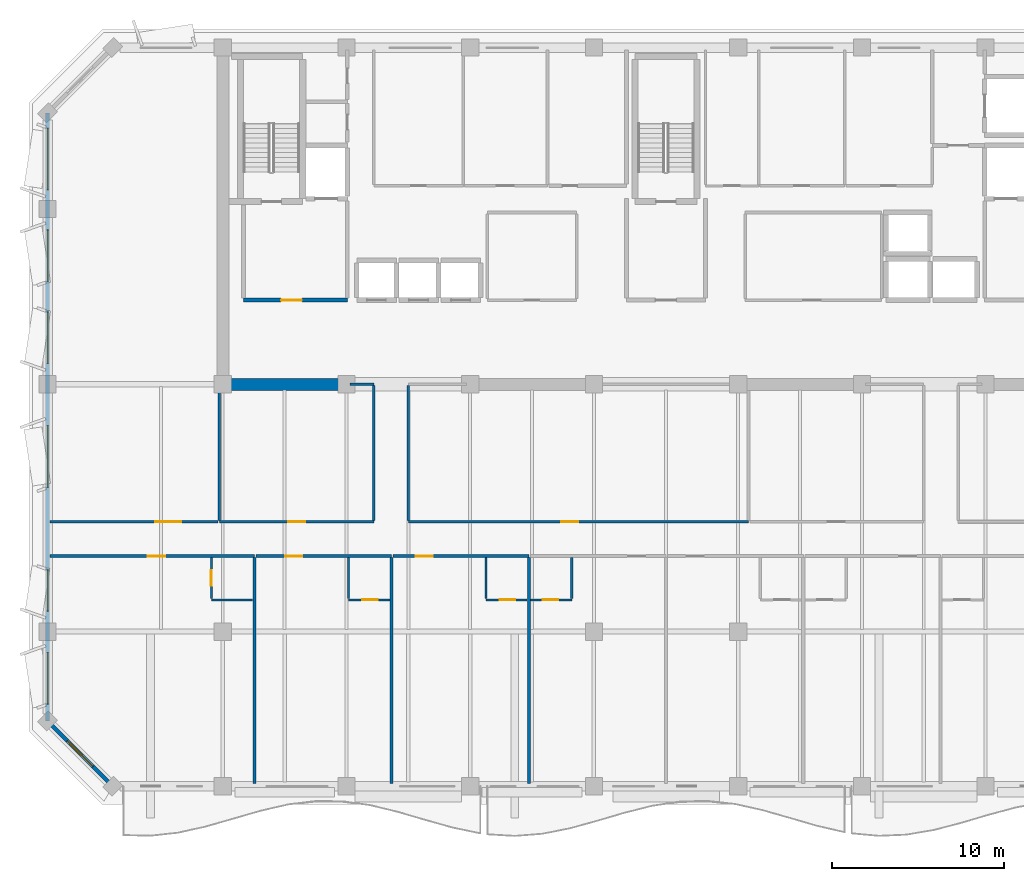
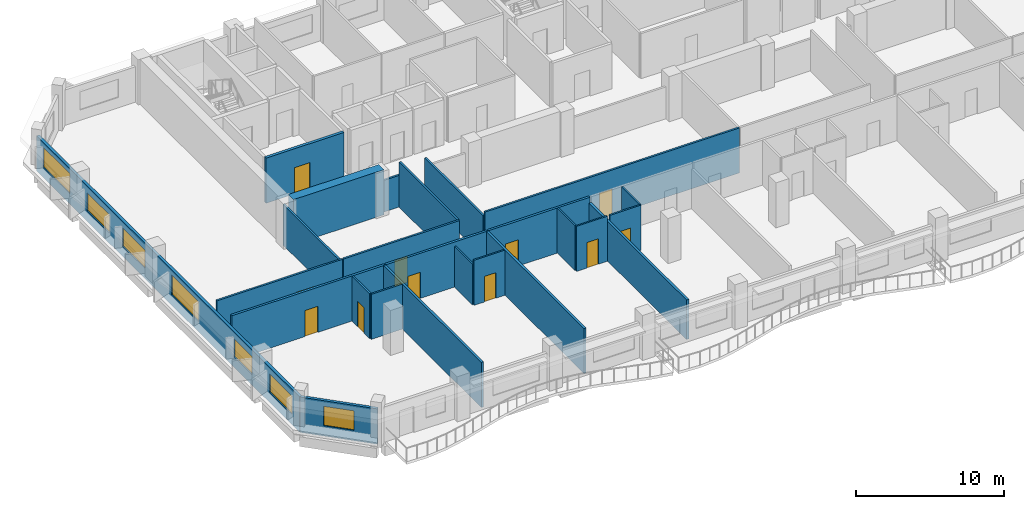
# One storey, part 3 of 11: 25 walls, 11 doors, 7 windows, 18 openings.
"""IFC4 building model written with IfcOpenShell, lengths in metres."""

from ifc_helpers import new_model, si_unit, direction, frame, frame_2d, origin, place, context, subcontext, project, spatial, rectangle, extrude, material, layer, layer_set, type_object, element, fill, save


model = new_model("IFC4")

# Units and contexts
model_context = context("Model", 3, precision=1e-05, world=origin(), true_north=direction((0.0, 1.0)))
body_context = subcontext(model_context, "Body", "Model", "MODEL_VIEW")
ifc_project = project(units=[si_unit("LENGTHUNIT", "METRE"), si_unit("AREAUNIT", "SQUARE_METRE"), si_unit("VOLUMEUNIT", "CUBIC_METRE"), si_unit("PLANEANGLEUNIT", "RADIAN"), si_unit("MASSUNIT", "GRAM", prefix="KILO")], contexts=[model_context])

# Site, building, storey
site_placement = place(None, origin())
site = spatial("IfcSite", under=ifc_project, at=site_placement, CompositionType="ELEMENT")
building_placement = place(site_placement, origin())
building = spatial("IfcBuilding", under=site, at=building_placement, Name="Kaelvorn Grand Hotel", CompositionType="ELEMENT")
storey_placement = place(building_placement, frame((0.0, 0.0, 252.85009765625)))
storey = spatial("IfcBuildingStorey", under=building, at=storey_placement, Name="L62", CompositionType="ELEMENT", Elevation=252.85009765625)

# Wall
ifc_material_1 = material(Name="Concrete C50/60", Category="concrete")
ifc_layer_1 = layer(ifc_material_1, 0.699951171875)
ifc_layer_set_1 = layer_set([ifc_layer_1], Name="Concrete C50/60")
wall_type_1 = type_object("IfcWallType", Name="WL-CORE-700-C50", PredefinedType="SHEAR", material=ifc_layer_set_1)
wall_1_placement = place(storey_placement, frame((16.554931640625, 29.39990234375, 0.0), z_axis=(0.0, 0.0, 1.0), x_axis=(1.0, 0.0, 0.0)))
element("IfcWall", 1, at=wall_1_placement, inside=storey, type_object=wall_type_1, Name="L62 Rear-Core Coupled Shear Pier S1", PredefinedType="SHEAR", context=body_context, shape_type="SweptSolid", body=[
    extrude(rectangle(XDim=7.045166015625, YDim=0.699951171875, at=frame_2d((3.5224609375, 0.0))), origin(), (0.0, 0.0, 1.0), 3.7099609375),
])

# Wall, openings, windows
ifc_material_2 = material(Name="Concrete C40/50", Category="concrete")
ifc_layer_2 = layer(ifc_material_2, 0.219970703125)
ifc_layer_set_2 = layer_set([ifc_layer_2], Name="Concrete C40/50")
wall_type_2 = type_object("IfcWallType", Name="WL-EXT-220-C40", PredefinedType="SOLIDWALL", material=ifc_layer_set_2)
wall_2_placement = place(storey_placement, frame((6.0, 45.199951171875, 0.0), z_axis=(0.0, 0.0, 1.0), x_axis=(0.0, -1.0, 0.0)))
wall_2 = element("IfcWall", 2, at=wall_2_placement, inside=storey, type_object=wall_type_2, Name="L62 Exterior Architectural Concrete Wall 07", PredefinedType="SOLIDWALL", context=body_context, shape_type="SweptSolid", body=[
    extrude(rectangle(XDim=35.39990234375, YDim=0.219970703125, at=frame_2d((17.699951171875, 0.0))), origin(), (0.0, 0.0, 1.0), 2.909912109375),
])
opening_1_placement = place(wall_2_placement, frame((31.4150390625, 0.0, 0.85009765625)))
opening_1 = element("IfcOpeningElement", 3, at=opening_1_placement, cuts=wall_2, Name="Opening W5", PredefinedType="OPENING", context=body_context, shape_type="SweptSolid", body=[
    extrude(rectangle(XDim=3.0, YDim=1.5, at=frame_2d((1.5, 0.75))), frame((0.0, 0.1201171875, 0.0), z_axis=(0.0, -1.0, 0.0), x_axis=(1.0, 0.0, 0.0)), (0.0, 0.0, 1.0), 0.239990234375),
])
opening_2_placement = place(wall_2_placement, frame((26.60009765625, 0.0, 0.85009765625)))
opening_2 = element("IfcOpeningElement", 4, at=opening_2_placement, cuts=wall_2, Name="Opening W6", PredefinedType="OPENING", context=body_context, shape_type="SweptSolid", body=[
    extrude(rectangle(XDim=2.39990234375, YDim=1.5, at=frame_2d((1.199951171875, 0.75))), frame((0.0, 0.1201171875, 0.0), z_axis=(0.0, -1.0, 0.0), x_axis=(1.0, 0.0, 0.0)), (0.0, 0.0, 1.0), 0.239990234375),
])
opening_3_placement = place(wall_2_placement, frame((18.199951171875, 0.0, 0.85009765625)))
opening_3 = element("IfcOpeningElement", 5, at=opening_3_placement, cuts=wall_2, Name="Opening W3", PredefinedType="OPENING", context=body_context, shape_type="SweptSolid", body=[
    extrude(rectangle(XDim=3.60009765625, YDim=1.64990234375, at=frame_2d((1.800048828125, 0.824951171875))), frame((0.0, 0.1201171875, 0.0), z_axis=(0.0, -1.0, 0.0), x_axis=(1.0, 0.0, 0.0)), (0.0, 0.0, 1.0), 0.239990234375),
])
opening_4_placement = place(wall_2_placement, frame((11.5849609375, 0.0, 0.85009765625)))
opening_4 = element("IfcOpeningElement", 6, at=opening_4_placement, cuts=wall_2, Name="Opening W5", PredefinedType="OPENING", context=body_context, shape_type="SweptSolid", body=[
    extrude(rectangle(XDim=3.0, YDim=1.5, at=frame_2d((1.5, 0.75))), frame((0.0, 0.1201171875, 0.0), z_axis=(0.0, -1.0, 0.0), x_axis=(1.0, 0.0, 0.0)), (0.0, 0.0, 1.0), 0.239990234375),
])
opening_5_placement = place(wall_2_placement, frame((6.81494140625, 0.0, 0.85009765625)))
opening_5 = element("IfcOpeningElement", 7, at=opening_5_placement, cuts=wall_2, Name="Opening W5", PredefinedType="OPENING", context=body_context, shape_type="SweptSolid", body=[
    extrude(rectangle(XDim=3.0, YDim=1.5, at=frame_2d((1.5, 0.75))), frame((0.0, 0.1201171875, 0.0), z_axis=(0.0, -1.0, 0.0), x_axis=(1.0, 0.0, 0.0)), (0.0, 0.0, 1.0), 0.239990234375),
])
opening_6_placement = place(wall_2_placement, frame((0.885009765625, 0.0, 0.85009765625)))
opening_6 = element("IfcOpeningElement", 8, at=opening_6_placement, cuts=wall_2, Name="Opening W3", PredefinedType="OPENING", context=body_context, shape_type="SweptSolid", body=[
    extrude(rectangle(XDim=3.60009765625, YDim=1.64990234375, at=frame_2d((1.800048828125, 0.824951171875))), frame((0.0, 0.1201171875, 0.0), z_axis=(0.0, -1.0, 0.0), x_axis=(1.0, 0.0, 0.0)), (0.0, 0.0, 1.0), 0.239990234375),
])
ifc_material_3 = material(Name="Laminated Low-E Glass", Category="glass")
window_type_1 = type_object("IfcWindowType", Name="WIN-NTH-2400x1500", PartitioningType="SINGLE_PANEL", PredefinedType="WINDOW", material=ifc_material_3)
window_1_placement = place(opening_2_placement, origin())
window_1 = element("IfcWindow", 9, at=window_1_placement, inside=storey, type_object=window_type_1, Name="L62 W Wing Tilted-Frame Ribbon Window W02", OverallHeight=1.5, OverallWidth=2.39990234375, PartitioningType="SINGLE_PANEL", PredefinedType="WINDOW", context=body_context, shape_type="SweptSolid", body=[
    extrude(rectangle(XDim=2.39990234375, YDim=1.5, at=frame_2d((1.199951171875, 0.75))), frame((0.0, 0.030029296875, 0.0), z_axis=(0.0, -1.0, 0.0), x_axis=(1.0, 0.0, 0.0)), (0.0, 0.0, 1.0), 0.06005859375),
])
fill(opening_2, window_1)
window_type_2 = type_object("IfcWindowType", Name="WIN-NTH-3000x1500", PartitioningType="SINGLE_PANEL", PredefinedType="WINDOW", material=ifc_material_3)
window_2_placement = place(opening_1_placement, origin())
window_2 = element("IfcWindow", 10, at=window_2_placement, inside=storey, type_object=window_type_2, Name="L62 W Wing Tilted-Frame Ribbon Window W01", OverallHeight=1.5, OverallWidth=3.0, PartitioningType="SINGLE_PANEL", PredefinedType="WINDOW", context=body_context, shape_type="SweptSolid", body=[
    extrude(rectangle(XDim=3.0, YDim=1.5, at=frame_2d((1.5, 0.75))), frame((0.0, 0.030029296875, 0.0), z_axis=(0.0, -1.0, 0.0), x_axis=(1.0, 0.0, 0.0)), (0.0, 0.0, 1.0), 0.06005859375),
])
fill(opening_1, window_2)
window_3_placement = place(opening_4_placement, origin())
window_3 = element("IfcWindow", 11, at=window_3_placement, inside=storey, type_object=window_type_2, Name="L62 W Wing Tilted-Frame Ribbon Window W04", OverallHeight=1.5, OverallWidth=3.0, PartitioningType="SINGLE_PANEL", PredefinedType="WINDOW", context=body_context, shape_type="SweptSolid", body=[
    extrude(rectangle(XDim=3.0, YDim=1.5, at=frame_2d((1.5, 0.75))), frame((0.0, 0.030029296875, 0.0), z_axis=(0.0, -1.0, 0.0), x_axis=(1.0, 0.0, 0.0)), (0.0, 0.0, 1.0), 0.06005859375),
])
fill(opening_4, window_3)
window_4_placement = place(opening_5_placement, origin())
window_4 = element("IfcWindow", 12, at=window_4_placement, inside=storey, type_object=window_type_2, Name="L62 W Wing Tilted-Frame Ribbon Window W05", OverallHeight=1.5, OverallWidth=3.0, PartitioningType="SINGLE_PANEL", PredefinedType="WINDOW", context=body_context, shape_type="SweptSolid", body=[
    extrude(rectangle(XDim=3.0, YDim=1.5, at=frame_2d((1.5, 0.75))), frame((0.0, 0.030029296875, 0.0), z_axis=(0.0, -1.0, 0.0), x_axis=(1.0, 0.0, 0.0)), (0.0, 0.0, 1.0), 0.06005859375),
])
fill(opening_5, window_4)
window_type_3 = type_object("IfcWindowType", Name="WIN-RIB-3600x1750", PartitioningType="SINGLE_PANEL", PredefinedType="WINDOW", material=ifc_material_3)
window_5_placement = place(opening_3_placement, origin())
window_5 = element("IfcWindow", 13, at=window_5_placement, inside=storey, type_object=window_type_3, Name="L62 W Wing Tilted-Frame Ribbon Window W03", OverallHeight=1.64990234375, OverallWidth=3.60009765625, PartitioningType="SINGLE_PANEL", PredefinedType="WINDOW", context=body_context, shape_type="SweptSolid", body=[
    extrude(rectangle(XDim=3.60009765625, YDim=1.64990234375, at=frame_2d((1.800048828125, 0.824951171875))), frame((0.0, 0.030029296875, 0.0), z_axis=(0.0, -1.0, 0.0), x_axis=(1.0, 0.0, 0.0)), (0.0, 0.0, 1.0), 0.06005859375),
])
fill(opening_3, window_5)
window_6_placement = place(opening_6_placement, origin())
window_6 = element("IfcWindow", 14, at=window_6_placement, inside=storey, type_object=window_type_3, Name="L62 W Wing Tilted-Frame Ribbon Window W06", OverallHeight=1.64990234375, OverallWidth=3.60009765625, PartitioningType="SINGLE_PANEL", PredefinedType="WINDOW", context=body_context, shape_type="SweptSolid", body=[
    extrude(rectangle(XDim=3.60009765625, YDim=1.64990234375, at=frame_2d((1.800048828125, 0.824951171875))), frame((0.0, 0.030029296875, 0.0), z_axis=(0.0, -1.0, 0.0), x_axis=(1.0, 0.0, 0.0)), (0.0, 0.0, 1.0), 0.06005859375),
])
fill(opening_6, window_6)

# Wall, opening, window
wall_3_placement = place(storey_placement, frame((6.0, 9.800048828125, 0.0), z_axis=(0.0, 0.0, 1.0), x_axis=(0.707106781187, -0.707106781187, 0.0)))
wall_3 = element("IfcWall", 15, at=wall_3_placement, inside=storey, type_object=wall_type_2, Name="L62 Exterior Architectural Concrete Wall 08", PredefinedType="SOLIDWALL", context=body_context, shape_type="SweptSolid", body=[
    extrude(rectangle(XDim=5.3740234375, YDim=0.219970703125, at=frame_2d((2.68701171875, 0.0))), origin(), (0.0, 0.0, 1.0), 2.909912109375),
])
opening_7_placement = place(wall_3_placement, frame((1.636962890625, 0.0, 0.85009765625)))
opening_7 = element("IfcOpeningElement", 16, at=opening_7_placement, cuts=wall_3, Name="Opening W7", PredefinedType="OPENING", context=body_context, shape_type="SweptSolid", body=[
    extrude(rectangle(XDim=2.10009765625, YDim=1.60009765625, at=frame_2d((1.050048828125, 0.800048828125))), frame((0.0, 0.1201171875, 0.0), z_axis=(0.0, -1.0, 0.0), x_axis=(1.0, 0.0, 0.0)), (0.0, 0.0, 1.0), 0.239990234375),
])
window_type_4 = type_object("IfcWindowType", Name="WIN-CHM-2100x1600", PartitioningType="SINGLE_PANEL", PredefinedType="WINDOW", material=ifc_material_3)
window_7_placement = place(opening_7_placement, origin())
window_7 = element("IfcWindow", 17, at=window_7_placement, inside=storey, type_object=window_type_4, Name="L62 Chamfered 45-Degree Corner Window SW", OverallHeight=1.60009765625, OverallWidth=2.10009765625, PartitioningType="SINGLE_PANEL", PredefinedType="WINDOW", context=body_context, shape_type="SweptSolid", body=[
    extrude(rectangle(XDim=2.10009765625, YDim=1.60009765625, at=frame_2d((1.050048828125, 0.800048828125))), frame((0.0, 0.030029296875, 0.0), z_axis=(0.0, -1.0, 0.0), x_axis=(1.0, 0.0, 0.0)), (0.0, 0.0, 1.0), 0.06005859375),
])
fill(opening_7, window_7)

# Wall
ifc_material_4 = material(Name="Moisture-Resistant Tile & Stud Board")
ifc_layer_3 = layer(ifc_material_4, 0.125)
ifc_layer_set_3 = layer_set([ifc_layer_3], Name="Moisture-Resistant Tile & Stud Board")
wall_type_3 = type_object("IfcWallType", Name="WL-PART-125-WET", PredefinedType="PARTITIONING", material=ifc_layer_set_3)
wall_4_placement = place(storey_placement, frame((15.53759765625, 16.85009765625, 0.0), z_axis=(0.0, 0.0, 1.0), x_axis=(1.0, 0.0, 0.0)))
element("IfcWall", 18, at=wall_4_placement, inside=storey, type_object=wall_type_3, Name="L62 En-suite Bathroom L62-01 S Partition", PredefinedType="PARTITIONING", context=body_context, shape_type="SweptSolid", body=[
    extrude(rectangle(XDim=2.40478515625, YDim=0.125, at=frame_2d((1.202392578125, 0.0))), origin(), (0.0, 0.0, 1.0), 3.7099609375),
])

# Wall, opening, door
wall_5_placement = place(storey_placement, frame((15.53759765625, 16.91748046875, 0.0), z_axis=(0.0, 0.0, 1.0), x_axis=(0.0, 1.0, 0.0)))
wall_5 = element("IfcWall", 19, at=wall_5_placement, inside=storey, type_object=wall_type_3, Name="L62 En-suite Bathroom L62-01 W Partition", PredefinedType="PARTITIONING", context=body_context, shape_type="SweptSolid", body=[
    extrude(rectangle(XDim=2.387451171875, YDim=0.125, at=frame_2d((1.19384765625, 0.0))), origin(), (0.0, 0.0, 1.0), 3.7099609375),
])
opening_8_placement = place(wall_5_placement, frame((0.757568359375, 0.0, 0.0)))
opening_8 = element("IfcOpeningElement", 20, at=opening_8_placement, cuts=wall_5, Name="Opening DI4", PredefinedType="OPENING", context=body_context, shape_type="SweptSolid", body=[
    extrude(rectangle(XDim=0.89990234375, YDim=2.10009765625, at=frame_2d((0.449951171875, 1.050048828125))), frame((0.0, 0.072509765625, 0.0), z_axis=(0.0, -1.0, 0.0), x_axis=(1.0, 0.0, 0.0)), (0.0, 0.0, 1.0), 0.14501953125),
])
ifc_material_5 = material(Name="Timber Veneer Leaf", Category="wood")
door_type_1 = type_object("IfcDoorType", Name="DR-INT-BATH-900x2100", OperationType="NOTDEFINED", PredefinedType="DOOR", material=ifc_material_5)
door_1_placement = place(opening_8_placement, origin())
door_1 = element("IfcDoor", 21, at=door_1_placement, inside=storey, type_object=door_type_1, Name="L62 En-suite Bathroom L62-01 Door", OperationType="SINGLE_SWING_RIGHT", OverallHeight=2.10009765625, OverallWidth=0.89990234375, PredefinedType="DOOR", context=body_context, shape_type="SweptSolid", body=[
    extrude(rectangle(XDim=0.89990234375, YDim=2.10009765625, at=frame_2d((0.449951171875, 1.050048828125))), frame((0.0, 0.02490234375, 0.0), z_axis=(0.0, -1.0, 0.0), x_axis=(1.0, 0.0, 0.0)), (0.0, 0.0, 1.0), 0.050048828125),
])
fill(opening_8, door_1)

wall_6_placement = place(storey_placement, frame((23.52490234375, 16.85009765625, 0.0), z_axis=(0.0, 0.0, 1.0), x_axis=(1.0, 0.0, 0.0)))
wall_6 = element("IfcWall", 22, at=wall_6_placement, inside=storey, type_object=wall_type_3, Name="L62 En-suite Bathroom L62-02 S Partition", PredefinedType="PARTITIONING", context=body_context, shape_type="SweptSolid", body=[
    extrude(rectangle(XDim=2.405029296875, YDim=0.125, at=frame_2d((1.20263671875, 0.0))), origin(), (0.0, 0.0, 1.0), 3.7099609375),
])
opening_9_placement = place(wall_6_placement, frame((0.800048828125, 0.0, 0.0)))
opening_9 = element("IfcOpeningElement", 23, at=opening_9_placement, cuts=wall_6, Name="Opening DI4", PredefinedType="OPENING", context=body_context, shape_type="SweptSolid", body=[
    extrude(rectangle(XDim=0.89990234375, YDim=2.10009765625, at=frame_2d((0.449951171875, 1.050048828125))), frame((0.0, 0.072509765625, 0.0), z_axis=(0.0, -1.0, 0.0), x_axis=(1.0, 0.0, 0.0)), (0.0, 0.0, 1.0), 0.14501953125),
])
door_2_placement = place(opening_9_placement, origin())
door_2 = element("IfcDoor", 24, at=door_2_placement, inside=storey, type_object=door_type_1, Name="L62 En-suite Bathroom L62-02 Door", OperationType="SINGLE_SWING_RIGHT", OverallHeight=2.10009765625, OverallWidth=0.89990234375, PredefinedType="DOOR", context=body_context, shape_type="SweptSolid", body=[
    extrude(rectangle(XDim=0.89990234375, YDim=2.10009765625, at=frame_2d((0.449951171875, 1.050048828125))), frame((0.0, 0.02490234375, 0.0), z_axis=(0.0, -1.0, 0.0), x_axis=(1.0, 0.0, 0.0)), (0.0, 0.0, 1.0), 0.050048828125),
])
fill(opening_9, door_2)

# Wall
wall_7_placement = place(storey_placement, frame((23.52490234375, 16.91748046875, 0.0), z_axis=(0.0, 0.0, 1.0), x_axis=(0.0, 1.0, 0.0)))
element("IfcWall", 25, at=wall_7_placement, inside=storey, type_object=wall_type_3, Name="L62 En-suite Bathroom L62-02 W Partition", PredefinedType="PARTITIONING", context=body_context, shape_type="SweptSolid", body=[
    extrude(rectangle(XDim=2.387451171875, YDim=0.125, at=frame_2d((1.19384765625, 0.0))), origin(), (0.0, 0.0, 1.0), 3.349853515625),
])

# Wall, opening, door
wall_8_placement = place(storey_placement, frame((31.512451171875, 16.85009765625, 0.0), z_axis=(0.0, 0.0, 1.0), x_axis=(1.0, 0.0, 0.0)))
wall_8 = element("IfcWall", 26, at=wall_8_placement, inside=storey, type_object=wall_type_3, Name="L62 En-suite Bathroom L62-03 S Partition", PredefinedType="PARTITIONING", context=body_context, shape_type="SweptSolid", body=[
    extrude(rectangle(XDim=2.405029296875, YDim=0.125, at=frame_2d((1.20263671875, 0.0))), origin(), (0.0, 0.0, 1.0), 3.7099609375),
])
opening_10_placement = place(wall_8_placement, frame((0.800048828125, 0.0, 0.0)))
opening_10 = element("IfcOpeningElement", 27, at=opening_10_placement, cuts=wall_8, Name="Opening DI4", PredefinedType="OPENING", context=body_context, shape_type="SweptSolid", body=[
    extrude(rectangle(XDim=0.89990234375, YDim=2.10009765625, at=frame_2d((0.449951171875, 1.050048828125))), frame((0.0, 0.072509765625, 0.0), z_axis=(0.0, -1.0, 0.0), x_axis=(1.0, 0.0, 0.0)), (0.0, 0.0, 1.0), 0.14501953125),
])
door_3_placement = place(opening_10_placement, origin())
door_3 = element("IfcDoor", 28, at=door_3_placement, inside=storey, type_object=door_type_1, Name="L62 En-suite Bathroom L62-03 Door", OperationType="SINGLE_SWING_RIGHT", OverallHeight=2.10009765625, OverallWidth=0.89990234375, PredefinedType="DOOR", context=body_context, shape_type="SweptSolid", body=[
    extrude(rectangle(XDim=0.89990234375, YDim=2.10009765625, at=frame_2d((0.449951171875, 1.050048828125))), frame((0.0, 0.02490234375, 0.0), z_axis=(0.0, -1.0, 0.0), x_axis=(1.0, 0.0, 0.0)), (0.0, 0.0, 1.0), 0.050048828125),
])
fill(opening_10, door_3)

# Wall
wall_9_placement = place(storey_placement, frame((31.512451171875, 16.91748046875, 0.0), z_axis=(0.0, 0.0, 1.0), x_axis=(0.0, 1.0, 0.0)))
element("IfcWall", 29, at=wall_9_placement, inside=storey, type_object=wall_type_3, Name="L62 En-suite Bathroom L62-03 W Partition", PredefinedType="PARTITIONING", context=body_context, shape_type="SweptSolid", body=[
    extrude(rectangle(XDim=2.387451171875, YDim=0.125, at=frame_2d((1.19384765625, 0.0))), origin(), (0.0, 0.0, 1.0), 3.7099609375),
])

# Wall, opening, door
wall_10_placement = place(storey_placement, frame((34.107421875, 16.85009765625, 0.0), z_axis=(0.0, 0.0, 1.0), x_axis=(1.0, 0.0, 0.0)))
wall_10 = element("IfcWall", 30, at=wall_10_placement, inside=storey, type_object=wall_type_3, Name="L62 En-suite Bathroom L62-04 S Partition", PredefinedType="PARTITIONING", context=body_context, shape_type="SweptSolid", body=[
    extrude(rectangle(XDim=2.405029296875, YDim=0.125, at=frame_2d((1.20263671875, 0.0))), origin(), (0.0, 0.0, 1.0), 3.7099609375),
])
opening_11_placement = place(wall_10_placement, frame((0.705078125, 0.0, 0.0)))
opening_11 = element("IfcOpeningElement", 31, at=opening_11_placement, cuts=wall_10, Name="Opening DI4", PredefinedType="OPENING", context=body_context, shape_type="SweptSolid", body=[
    extrude(rectangle(XDim=0.89990234375, YDim=2.10009765625, at=frame_2d((0.449951171875, 1.050048828125))), frame((0.0, 0.072509765625, 0.0), z_axis=(0.0, -1.0, 0.0), x_axis=(1.0, 0.0, 0.0)), (0.0, 0.0, 1.0), 0.14501953125),
])
door_4_placement = place(opening_11_placement, origin())
door_4 = element("IfcDoor", 32, at=door_4_placement, inside=storey, type_object=door_type_1, Name="L62 En-suite Bathroom L62-04 Door", OperationType="SINGLE_SWING_RIGHT", OverallHeight=2.10009765625, OverallWidth=0.89990234375, PredefinedType="DOOR", context=body_context, shape_type="SweptSolid", body=[
    extrude(rectangle(XDim=0.89990234375, YDim=2.10009765625, at=frame_2d((0.449951171875, 1.050048828125))), frame((0.0, 0.02490234375, 0.0), z_axis=(0.0, -1.0, 0.0), x_axis=(1.0, 0.0, 0.0)), (0.0, 0.0, 1.0), 0.050048828125),
])
fill(opening_11, door_4)

# Wall
wall_11_placement = place(storey_placement, frame((36.512451171875, 16.91748046875, 0.0), z_axis=(0.0, 0.0, 1.0), x_axis=(0.0, 1.0, 0.0)))
element("IfcWall", 33, at=wall_11_placement, inside=storey, type_object=wall_type_3, Name="L62 En-suite Bathroom L62-04 E Partition", PredefinedType="PARTITIONING", context=body_context, shape_type="SweptSolid", body=[
    extrude(rectangle(XDim=2.387451171875, YDim=0.125, at=frame_2d((1.19384765625, 0.0))), origin(), (0.0, 0.0, 1.0), 3.7099609375),
])

# Wall, opening, door
ifc_material_6 = material(Name="Acoustic Gypsum & Stud Partition")
ifc_layer_4 = layer(ifc_material_6, 0.14990234375)
ifc_layer_set_4 = layer_set([ifc_layer_4], Name="Acoustic Gypsum & Stud Partition")
wall_type_4 = type_object("IfcWallType", Name="WL-PART-150-EI60", PredefinedType="PARTITIONING", material=ifc_layer_set_4)
wall_12_placement = place(storey_placement, frame((16.0, 21.39990234375, 0.0), z_axis=(0.0, 0.0, 1.0), x_axis=(1.0, 0.0, 0.0)))
wall_12 = element("IfcWall", 34, at=wall_12_placement, inside=storey, type_object=wall_type_4, Name="L62 Private Dining Restaurant S Partition", PredefinedType="PARTITIONING", context=body_context, shape_type="SweptSolid", body=[
    extrude(rectangle(XDim=9.0, YDim=0.14990234375, at=frame_2d((4.5, 0.0))), origin(), (0.0, 0.0, 1.0), 3.7099609375),
])
opening_12_placement = place(wall_12_placement, frame((4.0, 0.0, 0.0)))
opening_12 = element("IfcOpeningElement", 35, at=opening_12_placement, cuts=wall_12, Name="Opening DI3", PredefinedType="OPENING", context=body_context, shape_type="SweptSolid", body=[
    extrude(rectangle(XDim=1.0, YDim=2.14990234375, at=frame_2d((0.5, 1.074951171875))), frame((0.0, 0.0849609375, 0.0), z_axis=(0.0, -1.0, 0.0), x_axis=(1.0, 0.0, 0.0)), (0.0, 0.0, 1.0), 0.169921875),
])
ifc_material_7 = material(Name="Timber Veneer Fire Leaf", Category="wood")
door_type_2 = type_object("IfcDoorType", Name="DR-INT-GUEST-1000x2150", OperationType="NOTDEFINED", PredefinedType="DOOR", material=ifc_material_7)
door_5_placement = place(opening_12_placement, origin())
door_5 = element("IfcDoor", 36, at=door_5_placement, inside=storey, type_object=door_type_2, Name="L62 Private Dining Restaurant Door", OperationType="SINGLE_SWING_LEFT", OverallHeight=2.14990234375, OverallWidth=1.0, PredefinedType="DOOR", context=body_context, shape_type="SweptSolid", body=[
    extrude(rectangle(XDim=1.0, YDim=2.14990234375, at=frame_2d((0.5, 1.074951171875))), frame((0.0, 0.02490234375, 0.0), z_axis=(0.0, -1.0, 0.0), x_axis=(1.0, 0.0, 0.0)), (0.0, 0.0, 1.0), 0.050048828125),
])
fill(opening_12, door_5)

# Walls
wall_13_placement = place(storey_placement, frame((23.610107421875, 29.39990234375, 0.0), z_axis=(0.0, 0.0, 1.0), x_axis=(1.0, 0.0, 0.0)))
element("IfcWall", 37, at=wall_13_placement, inside=storey, type_object=wall_type_4, Name="L62 Private Dining Restaurant N Partition", PredefinedType="PARTITIONING", context=body_context, shape_type="SweptSolid", body=[
    extrude(rectangle(XDim=1.389892578125, YDim=0.14990234375, at=frame_2d((0.69482421875, 0.0))), origin(), (0.0, 0.0, 1.0), 2.60986328125),
])
wall_14_placement = place(storey_placement, frame((16.0, 21.47998046875, 0.0), z_axis=(0.0, 0.0, 1.0), x_axis=(0.0, 1.0, 0.0)))
element("IfcWall", 38, at=wall_14_placement, inside=storey, type_object=wall_type_4, Name="L62 Private Dining Restaurant W Partition", PredefinedType="PARTITIONING", context=body_context, shape_type="SweptSolid", body=[
    extrude(rectangle(XDim=7.909912109375, YDim=0.14990234375, at=frame_2d((3.955078125, 0.0))), origin(), (0.0, 0.0, 1.0), 3.349853515625),
])
wall_15_placement = place(storey_placement, frame((25.0, 21.47998046875, 0.0), z_axis=(0.0, 0.0, 1.0), x_axis=(0.0, 1.0, 0.0)))
element("IfcWall", 39, at=wall_15_placement, inside=storey, type_object=wall_type_4, Name="L62 Private Dining Restaurant E Partition", PredefinedType="PARTITIONING", context=body_context, shape_type="SweptSolid", body=[
    extrude(rectangle(XDim=7.840087890625, YDim=0.14990234375, at=frame_2d((3.919921875, 0.0))), origin(), (0.0, 0.0, 1.0), 3.7099609375),
])

# Wall, opening, door
wall_16_placement = place(storey_placement, frame((27.0, 21.39990234375, 0.0), z_axis=(0.0, 0.0, 1.0), x_axis=(1.0, 0.0, 0.0)))
wall_16 = element("IfcWall", 40, at=wall_16_placement, inside=storey, type_object=wall_type_4, Name="L62 Hospitality Tea Kitchen S Partition", PredefinedType="PARTITIONING", context=body_context, shape_type="SweptSolid", body=[
    extrude(rectangle(XDim=19.800048828125, YDim=0.14990234375, at=frame_2d((9.89990234375, 0.0))), origin(), (0.0, 0.0, 1.0), 3.7099609375),
])
opening_13_placement = place(wall_16_placement, frame((8.89990234375, 0.0, 0.0)))
opening_13 = element("IfcOpeningElement", 41, at=opening_13_placement, cuts=wall_16, Name="Opening DI3", PredefinedType="OPENING", context=body_context, shape_type="SweptSolid", body=[
    extrude(rectangle(XDim=1.0, YDim=2.14990234375, at=frame_2d((0.5, 1.074951171875))), frame((0.0, 0.0849609375, 0.0), z_axis=(0.0, -1.0, 0.0), x_axis=(1.0, 0.0, 0.0)), (0.0, 0.0, 1.0), 0.169921875),
])
door_6_placement = place(opening_13_placement, origin())
door_6 = element("IfcDoor", 42, at=door_6_placement, inside=storey, type_object=door_type_2, Name="L62 Hospitality Tea Kitchen Door", OperationType="SINGLE_SWING_RIGHT", OverallHeight=2.14990234375, OverallWidth=1.0, PredefinedType="DOOR", context=body_context, shape_type="SweptSolid", body=[
    extrude(rectangle(XDim=1.0, YDim=2.14990234375, at=frame_2d((0.5, 1.074951171875))), frame((0.0, 0.02490234375, 0.0), z_axis=(0.0, -1.0, 0.0), x_axis=(1.0, 0.0, 0.0)), (0.0, 0.0, 1.0), 0.050048828125),
])
fill(opening_13, door_6)

# Wall
wall_17_placement = place(storey_placement, frame((27.0, 21.47998046875, 0.0), z_axis=(0.0, 0.0, 1.0), x_axis=(0.0, 1.0, 0.0)))
element("IfcWall", 43, at=wall_17_placement, inside=storey, type_object=wall_type_4, Name="L62 Hospitality Tea Kitchen W Partition", PredefinedType="PARTITIONING", context=body_context, shape_type="SweptSolid", body=[
    extrude(rectangle(XDim=7.840087890625, YDim=0.14990234375, at=frame_2d((3.919921875, 0.0))), origin(), (0.0, 0.0, 1.0), 3.349853515625),
])

# Wall, opening, door
wall_18_placement = place(storey_placement, frame((6.14990234375, 21.39990234375, 0.0), z_axis=(0.0, 0.0, 1.0), x_axis=(1.0, 0.0, 0.0)))
wall_18 = element("IfcWall", 44, at=wall_18_placement, inside=storey, type_object=wall_type_4, Name="L62 West Sky Wellness Fitness Gym S Partition", PredefinedType="PARTITIONING", context=body_context, shape_type="SweptSolid", body=[
    extrude(rectangle(XDim=9.77001953125, YDim=0.14990234375, at=frame_2d((4.885009765625, 0.0))), origin(), (0.0, 0.0, 1.0), 3.7099609375),
])
opening_14_placement = place(wall_18_placement, frame((6.1298828125, 0.0, 0.0)))
opening_14 = element("IfcOpeningElement", 45, at=opening_14_placement, cuts=wall_18, Name="Opening DI5", PredefinedType="OPENING", context=body_context, shape_type="SweptSolid", body=[
    extrude(rectangle(XDim=1.5, YDim=2.25, at=frame_2d((0.75, 1.125))), frame((0.0, 0.0849609375, 0.0), z_axis=(0.0, -1.0, 0.0), x_axis=(1.0, 0.0, 0.0)), (0.0, 0.0, 1.0), 0.169921875),
])
door_type_3 = type_object("IfcDoorType", Name="DR-INT-SALON-1500x2250", OperationType="DOUBLE_DOOR_SINGLE_SWING", PredefinedType="DOOR", material=ifc_material_7)
door_7_placement = place(opening_14_placement, origin())
door_7 = element("IfcDoor", 46, at=door_7_placement, inside=storey, type_object=door_type_3, Name="L62 West Sky Wellness Fitness Gym Door", OperationType="DOUBLE_DOOR_SINGLE_SWING", OverallHeight=2.25, OverallWidth=1.5, PredefinedType="DOOR", context=body_context, shape_type="SweptSolid", body=[
    extrude(rectangle(XDim=1.5, YDim=2.25, at=frame_2d((0.75, 1.125))), frame((0.0, 0.02490234375, 0.0), z_axis=(0.0, -1.0, 0.0), x_axis=(1.0, 0.0, 0.0)), (0.0, 0.0, 1.0), 0.050048828125),
])
fill(opening_14, door_7)

ifc_layer_5 = layer(ifc_material_6, 0.179931640625)
ifc_layer_set_5 = layer_set([ifc_layer_5], Name="Acoustic Gypsum & Stud Partition")
wall_type_5 = type_object("IfcWallType", Name="WL-PART-180-EI60", PredefinedType="PARTITIONING", material=ifc_layer_set_5)
wall_19_placement = place(storey_placement, frame((6.14990234375, 19.39990234375, 0.0), z_axis=(0.0, 0.0, 1.0), x_axis=(1.0, 0.0, 0.0)))
wall_19 = element("IfcWall", 47, at=wall_19_placement, inside=storey, type_object=wall_type_5, Name="L62 Ambassador Sky Suite L62-01 N Partition", PredefinedType="PARTITIONING", context=body_context, shape_type="SweptSolid", body=[
    extrude(rectangle(XDim=11.8876953125, YDim=0.179931640625, at=frame_2d((5.94384765625, 0.0))), origin(), (0.0, 0.0, 1.0), 3.7099609375),
])
opening_15_placement = place(wall_19_placement, frame((5.69384765625, 0.0, 0.0)))
opening_15 = element("IfcOpeningElement", 48, at=opening_15_placement, cuts=wall_19, Name="Opening DI3", PredefinedType="OPENING", context=body_context, shape_type="SweptSolid", body=[
    extrude(rectangle(XDim=1.0, YDim=2.14990234375, at=frame_2d((0.5, 1.074951171875))), frame((0.0, 0.10009765625, 0.0), z_axis=(0.0, -1.0, 0.0), x_axis=(1.0, 0.0, 0.0)), (0.0, 0.0, 1.0), 0.199951171875),
])
door_8_placement = place(opening_15_placement, origin())
door_8 = element("IfcDoor", 49, at=door_8_placement, inside=storey, type_object=door_type_2, Name="L62 Ambassador Sky Suite L62-01 Door", OperationType="SINGLE_SWING_LEFT", OverallHeight=2.14990234375, OverallWidth=1.0, PredefinedType="DOOR", context=body_context, shape_type="SweptSolid", body=[
    extrude(rectangle(XDim=1.0, YDim=2.14990234375, at=frame_2d((0.5, 1.074951171875))), frame((0.0, 0.02490234375, 0.0), z_axis=(0.0, -1.0, 0.0), x_axis=(1.0, 0.0, 0.0)), (0.0, 0.0, 1.0), 0.050048828125),
])
fill(opening_15, door_8)

# Wall
wall_20_placement = place(storey_placement, frame((18.03759765625, 6.14990234375, 0.0), z_axis=(0.0, 0.0, 1.0), x_axis=(0.0, 1.0, 0.0)))
element("IfcWall", 50, at=wall_20_placement, inside=storey, type_object=wall_type_5, Name="L62 Ambassador Sky Suite L62-01 E Partition", PredefinedType="PARTITIONING", context=body_context, shape_type="SweptSolid", body=[
    extrude(rectangle(XDim=13.155029296875, YDim=0.179931640625, at=frame_2d((6.57763671875, 0.0))), origin(), (0.0, 0.0, 1.0), 3.7099609375),
])

# Wall, opening, door
wall_21_placement = place(storey_placement, frame((18.132568359375, 19.39990234375, 0.0), z_axis=(0.0, 0.0, 1.0), x_axis=(1.0, 0.0, 0.0)))
wall_21 = element("IfcWall", 51, at=wall_21_placement, inside=storey, type_object=wall_type_5, Name="L62 Ambassador Junior Suite L62-02 N Partition", PredefinedType="PARTITIONING", context=body_context, shape_type="SweptSolid", body=[
    extrude(rectangle(XDim=7.892333984375, YDim=0.179931640625, at=frame_2d((3.9462890625, 0.0))), origin(), (0.0, 0.0, 1.0), 3.7099609375),
])
opening_16_placement = place(wall_21_placement, frame((1.6962890625, 0.0, 0.0)))
opening_16 = element("IfcOpeningElement", 52, at=opening_16_placement, cuts=wall_21, Name="Opening DI3", PredefinedType="OPENING", context=body_context, shape_type="SweptSolid", body=[
    extrude(rectangle(XDim=1.0, YDim=2.14990234375, at=frame_2d((0.5, 1.074951171875))), frame((0.0, 0.10009765625, 0.0), z_axis=(0.0, -1.0, 0.0), x_axis=(1.0, 0.0, 0.0)), (0.0, 0.0, 1.0), 0.199951171875),
])
door_9_placement = place(opening_16_placement, origin())
door_9 = element("IfcDoor", 53, at=door_9_placement, inside=storey, type_object=door_type_2, Name="L62 Ambassador Junior Suite L62-02 Door", OperationType="SINGLE_SWING_LEFT", OverallHeight=2.14990234375, OverallWidth=1.0, PredefinedType="DOOR", context=body_context, shape_type="SweptSolid", body=[
    extrude(rectangle(XDim=1.0, YDim=2.14990234375, at=frame_2d((0.5, 1.074951171875))), frame((0.0, 0.02490234375, 0.0), z_axis=(0.0, -1.0, 0.0), x_axis=(1.0, 0.0, 0.0)), (0.0, 0.0, 1.0), 0.050048828125),
])
fill(opening_16, door_9)

# Wall
wall_22_placement = place(storey_placement, frame((26.02490234375, 6.14990234375, 0.0), z_axis=(0.0, 0.0, 1.0), x_axis=(0.0, 1.0, 0.0)))
element("IfcWall", 54, at=wall_22_placement, inside=storey, type_object=wall_type_5, Name="L62 Ambassador Junior Suite L62-02 E Partition", PredefinedType="PARTITIONING", context=body_context, shape_type="SweptSolid", body=[
    extrude(rectangle(XDim=13.155029296875, YDim=0.179931640625, at=frame_2d((6.57763671875, 0.0))), origin(), (0.0, 0.0, 1.0), 3.7099609375),
])

# Wall, opening, door
wall_23_placement = place(storey_placement, frame((26.1201171875, 19.39990234375, 0.0), z_axis=(0.0, 0.0, 1.0), x_axis=(1.0, 0.0, 0.0)))
wall_23 = element("IfcWall", 55, at=wall_23_placement, inside=storey, type_object=wall_type_5, Name="L62 Ambassador Sky Suite L62-03 N Partition", PredefinedType="PARTITIONING", context=body_context, shape_type="SweptSolid", body=[
    extrude(rectangle(XDim=7.892333984375, YDim=0.179931640625, at=frame_2d((3.9462890625, 0.0))), origin(), (0.0, 0.0, 1.0), 3.7099609375),
])
opening_17_placement = place(wall_23_placement, frame((1.302490234375, 0.0, 0.0)))
opening_17 = element("IfcOpeningElement", 56, at=opening_17_placement, cuts=wall_23, Name="Opening DI3", PredefinedType="OPENING", context=body_context, shape_type="SweptSolid", body=[
    extrude(rectangle(XDim=1.0, YDim=2.14990234375, at=frame_2d((0.5, 1.074951171875))), frame((0.0, 0.10009765625, 0.0), z_axis=(0.0, -1.0, 0.0), x_axis=(1.0, 0.0, 0.0)), (0.0, 0.0, 1.0), 0.199951171875),
])
door_10_placement = place(opening_17_placement, origin())
door_10 = element("IfcDoor", 57, at=door_10_placement, inside=storey, type_object=door_type_2, Name="L62 Ambassador Sky Suite L62-03 Door", OperationType="SINGLE_SWING_LEFT", OverallHeight=2.14990234375, OverallWidth=1.0, PredefinedType="DOOR", context=body_context, shape_type="SweptSolid", body=[
    extrude(rectangle(XDim=1.0, YDim=2.14990234375, at=frame_2d((0.5, 1.074951171875))), frame((0.0, 0.02490234375, 0.0), z_axis=(0.0, -1.0, 0.0), x_axis=(1.0, 0.0, 0.0)), (0.0, 0.0, 1.0), 0.050048828125),
])
fill(opening_17, door_10)

# Wall
wall_24_placement = place(storey_placement, frame((34.012451171875, 6.14990234375, 0.0), z_axis=(0.0, 0.0, 1.0), x_axis=(0.0, 1.0, 0.0)))
element("IfcWall", 58, at=wall_24_placement, inside=storey, type_object=wall_type_5, Name="L62 Ambassador Sky Suite L62-03 E Partition", PredefinedType="PARTITIONING", context=body_context, shape_type="SweptSolid", body=[
    extrude(rectangle(XDim=13.155029296875, YDim=0.179931640625, at=frame_2d((6.57763671875, 0.0))), origin(), (0.0, 0.0, 1.0), 3.260009765625),
])

# Wall, opening, door
ifc_layer_6 = layer(ifc_material_2, 0.219970703125)
ifc_layer_set_6 = layer_set([ifc_layer_6], Name="Concrete C40/50")
wall_type_6 = type_object("IfcWallType", Name="WL-PART-220-EI120", PredefinedType="PARTITIONING", material=ifc_layer_set_6)
wall_25_placement = place(storey_placement, frame((17.39990234375, 34.300048828125, 0.0), z_axis=(0.0, 0.0, 1.0), x_axis=(1.0, 0.0, 0.0)))
wall_25 = element("IfcWall", 59, at=wall_25_placement, inside=storey, type_object=wall_type_6, Name="L62 Firefighting Lift Lobby 1 S Partition", PredefinedType="PARTITIONING", context=body_context, shape_type="SweptSolid", body=[
    extrude(rectangle(XDim=6.050048828125, YDim=0.219970703125, at=frame_2d((3.02490234375, 0.0))), origin(), (0.0, 0.0, 1.0), 3.7099609375),
])
opening_18_placement = place(wall_25_placement, frame((2.199951171875, 0.0, 0.0)))
opening_18 = element("IfcOpeningElement", 60, at=opening_18_placement, cuts=wall_25, Name="Opening DI2", PredefinedType="OPENING", context=body_context, shape_type="SweptSolid", body=[
    extrude(rectangle(XDim=1.199951171875, YDim=2.14990234375, at=frame_2d((0.60009765625, 1.074951171875))), frame((0.0, 0.1201171875, 0.0), z_axis=(0.0, -1.0, 0.0), x_axis=(1.0, 0.0, 0.0)), (0.0, 0.0, 1.0), 0.239990234375),
])
door_type_4 = type_object("IfcDoorType", Name="DR-INT-FFLOB-1200x2150", OperationType="NOTDEFINED", PredefinedType="DOOR", material=ifc_material_7)
door_11_placement = place(opening_18_placement, origin())
door_11 = element("IfcDoor", 61, at=door_11_placement, inside=storey, type_object=door_type_4, Name="L62 Firefighting Lift Lobby 1 Door", OperationType="SINGLE_SWING_LEFT", OverallHeight=2.14990234375, OverallWidth=1.199951171875, PredefinedType="DOOR", context=body_context, shape_type="SweptSolid", body=[
    extrude(rectangle(XDim=1.199951171875, YDim=2.14990234375, at=frame_2d((0.60009765625, 1.074951171875))), frame((0.0, 0.02490234375, 0.0), z_axis=(0.0, -1.0, 0.0), x_axis=(1.0, 0.0, 0.0)), (0.0, 0.0, 1.0), 0.050048828125),
])
fill(opening_18, door_11)

save(model, "model.ifc")
